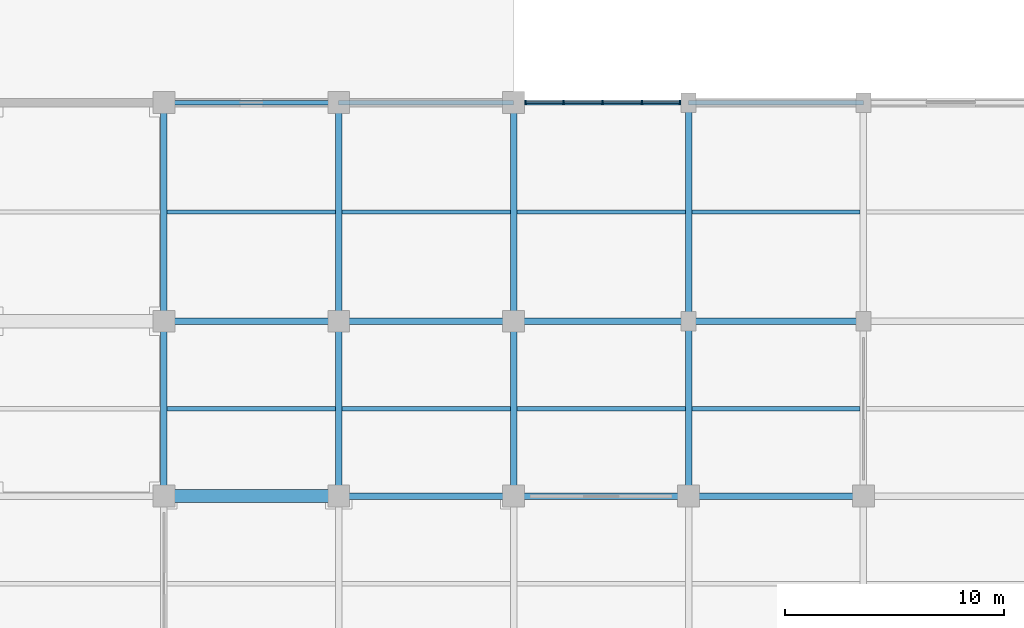
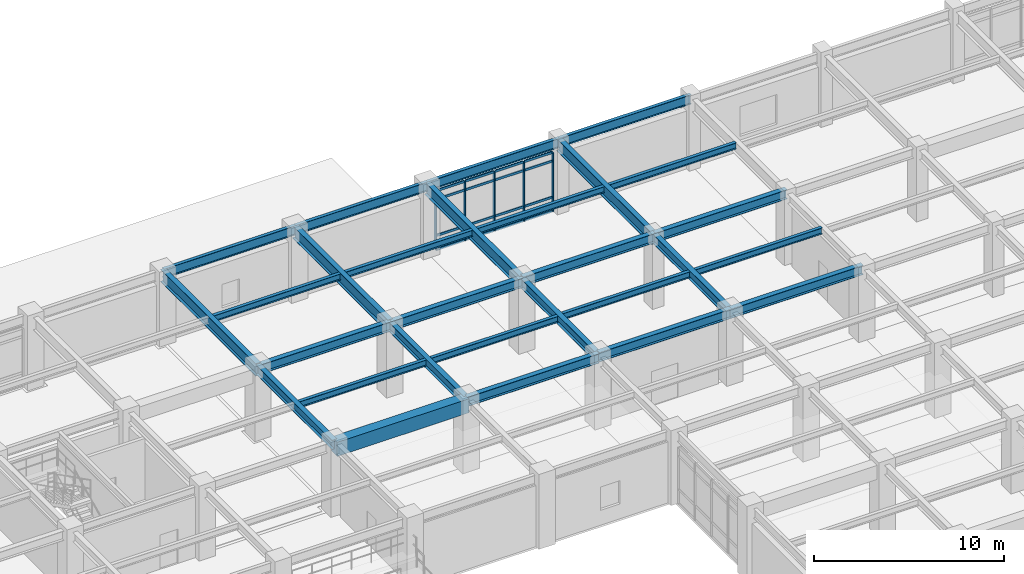
# One storey, part 51 of 117: 28 beams, 21 members, 1 element without a shape of its own.
"""IFC4 building model written with IfcOpenShell, lengths in metres."""

import ifcopenshell
import ifcopenshell.guid

model = None  # the IFC model being written
_history = None  # IfcOwnerHistory: only IFC2X3 demands one
_inside = {}  # id of a spatial element -> (the spatial element, [elements in it])
_under = {}  # id of a project, library or spatial element -> (it, [spatial elements below it])
_declared = {}  # id of a project -> (the project, [libraries it declares])
_typed = {}  # id of a type object -> (the type object, [elements of that type])
_made_of = {}  # id of a material, layer set ... -> (it, [elements and type objects made of it])


def new_model(schema):
    """Start an empty IFC model of exactly this schema.

    Asked for "IFC4X3", IfcOpenShell would pick the latest addendum, in which some entities
    have other attributes; the version numbers below select the first issue.
    IFC2X3 requires an IfcOwnerHistory on every rooted entity: one is made here for all.
    """
    global model, _history
    if schema == "IFC4X3":
        model = ifcopenshell.file(schema_version=(4, 3, 0, 0))
    else:
        model = ifcopenshell.file(schema=schema)
    _inside.clear()
    _under.clear()
    _declared.clear()
    _typed.clear()
    _made_of.clear()
    _history = None
    if model.schema == "IFC2X3":
        org = make("IfcOrganization", Name="unknown")
        user = make(
            "IfcPersonAndOrganization",
            ThePerson=make("IfcPerson", FamilyName="unknown"),
            TheOrganization=org,
        )
        app = make(
            "IfcApplication",
            ApplicationDeveloper=org,
            Version="unknown",
            ApplicationFullName="unknown",
            ApplicationIdentifier="unknown",
        )
        _history = make(
            "IfcOwnerHistory",
            OwningUser=user,
            OwningApplication=app,
            ChangeAction="ADDED",
            CreationDate=0,
        )
    return model


def make(cls, **values):
    """One entity of the class cls with the attributes given. An attribute that is None is left unset."""
    return model.create_entity(
        cls, **{name: value for name, value in values.items() if value is not None}
    )


def rooted(cls, **values):
    """An entity with a GlobalId (a new one), such as an element, a storey or a relation."""
    return make(cls, GlobalId=ifcopenshell.guid.new(), OwnerHistory=_history, **values)


def si_unit(unit_type, name, prefix=None):
    """IfcSIUnit, for example si_unit("LENGTHUNIT", "METRE", prefix="MILLI")."""
    return make("IfcSIUnit", UnitType=unit_type, Prefix=prefix, Name=name)


def assignment(units):
    """IfcUnitAssignment: the units of a project."""
    return None if units is None else make("IfcUnitAssignment", Units=units)


def point(xyz):
    """IfcCartesianPoint."""
    return None if xyz is None else make("IfcCartesianPoint", Coordinates=xyz)


def direction(xyz):
    """IfcDirection."""
    return None if xyz is None else make("IfcDirection", DirectionRatios=xyz)


def frame(location, z_axis=None, x_axis=None):
    """IfcAxis2Placement3D, a coordinate frame: its origin and axes. An axis left out is left unset."""
    return make(
        "IfcAxis2Placement3D",
        Location=point(location),
        Axis=direction(z_axis),
        RefDirection=direction(x_axis),
    )


def frame_2d(location, x_axis=None):
    """IfcAxis2Placement2D, a coordinate frame in the plane: its origin and x axis."""
    return make(
        "IfcAxis2Placement2D", Location=point(location), RefDirection=direction(x_axis)
    )


def origin():
    """The frame at (0, 0, 0) with its axes left unset."""
    return frame((0.0, 0.0, 0.0))


def origin_2d():
    """The frame at (0, 0) in the plane with its x axis left unset."""
    return frame_2d((0.0, 0.0))


def place(relative_to, where):
    """IfcLocalPlacement: puts the frame where relative to a parent placement (None: the world)."""
    return make(
        "IfcLocalPlacement", PlacementRelTo=relative_to, RelativePlacement=where
    )


def context(
    kind, dimensions, precision=None, world=None, true_north=None, identifier=None
):
    """IfcGeometricRepresentationContext, for example the 3D "Model" context."""
    return make(
        "IfcGeometricRepresentationContext",
        ContextIdentifier=identifier,
        ContextType=kind,
        CoordinateSpaceDimension=dimensions,
        Precision=precision,
        WorldCoordinateSystem=world,
        TrueNorth=true_north,
    )


def subcontext(parent, identifier, kind, view, scale=None):
    """IfcGeometricRepresentationSubContext, for example "Body" below "Model"."""
    return make(
        "IfcGeometricRepresentationSubContext",
        ContextIdentifier=identifier,
        ContextType=kind,
        ParentContext=parent,
        TargetScale=scale,
        TargetView=view,
    )


def project(units=None, contexts=None):
    """IfcProject with its units and contexts."""
    return rooted(
        "IfcProject",
        Name="project",
        RepresentationContexts=contexts,
        UnitsInContext=assignment(units),
    )


def spatial(cls, under=None, at=None, **own):
    """A site, building, storey or space (cls), placed at a placement, below another one or the project."""
    s = rooted(cls, ObjectPlacement=at, **own)
    if under is not None:
        _under.setdefault(under.id(), (under, []))[1].append(s)
    return s


def profile(cls, at=None, kind="AREA", **sizes):
    """A parametric profile (cls). Its sizes go by their IFC names, for example OverallWidth=200.0."""
    return make(cls, ProfileType=kind, Position=at, **sizes)


def rectangle(**sizes):
    """IfcRectangleProfileDef."""
    return profile("IfcRectangleProfileDef", **sizes)


def i_section(**sizes):
    """IfcIShapeProfileDef."""
    return profile("IfcIShapeProfileDef", **sizes)


def extrude(swept, where, along, depth):
    """IfcExtrudedAreaSolid: the profile swept, set in the frame where, extruded along a direction by depth."""
    return make(
        "IfcExtrudedAreaSolid",
        SweptArea=swept,
        Position=where,
        ExtrudedDirection=direction(along),
        Depth=depth,
    )


def shape(context_of_items, identifier, shape_type, items):
    """IfcShapeRepresentation: the items that make up one representation, for example the "Body"."""
    return make(
        "IfcShapeRepresentation",
        ContextOfItems=context_of_items,
        RepresentationIdentifier=identifier,
        RepresentationType=shape_type,
        Items=items,
    )


def material(Name=None, Category=None):
    """IfcMaterial."""
    return make("IfcMaterial", Name=Name, Category=Category)


def layer(
    of_material, thickness, ventilated=None, Name=None, Category=None, Priority=None
):
    """IfcMaterialLayer: one layer of a wall or slab, of a material (None: an air gap)."""
    return make(
        "IfcMaterialLayer",
        Material=of_material,
        LayerThickness=thickness,
        IsVentilated=ventilated,
        Name=Name,
        Category=Category,
        Priority=Priority,
    )


def layer_set(layers, Name=None):
    """IfcMaterialLayerSet."""
    return make("IfcMaterialLayerSet", MaterialLayers=layers, LayerSetName=Name)


def material_profile(
    of_material, cross_section, Name=None, Category=None, Priority=None
):
    """IfcMaterialProfile: a cross section and its material."""
    return make(
        "IfcMaterialProfile",
        Name=Name,
        Material=of_material,
        Profile=cross_section,
        Priority=Priority,
        Category=Category,
    )


def profile_set(profiles, Name=None, composite=None):
    """IfcMaterialProfileSet."""
    return make(
        "IfcMaterialProfileSet",
        Name=Name,
        MaterialProfiles=profiles,
        CompositeProfile=composite,
    )


def made_of(thing, what):
    """Note that an element or type object is made of a material, layer set ...; save() writes the relation."""
    if what is not None:
        _made_of.setdefault(what.id(), (what, []))[1].append(thing)
    return thing


def type_object(cls, material=None, **own):
    """A type object (cls), such as IfcWallType, which elements share."""
    return made_of(rooted(cls, **own), material)


def element(
    cls,
    number,
    at=None,
    inside=None,
    cuts=None,
    type_object=None,
    material=None,
    context=None,
    identifier="Body",
    shape_type=None,
    held_by="IfcProductDefinitionShape",
    body=None,
    shapes=None,
    **own,
):
    """One element of the class cls, such as IfcWall. Its Tag is "e" and its number.

    at: its placement. inside: the storey or other place that contains it. cuts: it is an
    opening in that element (IfcRelVoidsElement). A single representation is given by context,
    identifier, shape_type and body (its items); several are given by shapes. held_by: the class
    of the entity that holds the representations. save() writes the other relations.
    """
    e = rooted(cls, Tag="e%d" % number, ObjectPlacement=at, **own)
    if body is not None:
        shapes = [shape(context, identifier, shape_type, body)]
    if shapes is not None:
        e.Representation = make(held_by, Representations=shapes)
    if inside is not None:
        _inside.setdefault(inside.id(), (inside, []))[1].append(e)
    if cuts is not None:
        rooted(
            "IfcRelVoidsElement", RelatingBuildingElement=cuts, RelatedOpeningElement=e
        )
    if type_object is not None:
        _typed.setdefault(type_object.id(), (type_object, []))[1].append(e)
    return made_of(e, material)


def aggregate(whole, parts):
    """IfcRelAggregates: a whole, such as a stair, and the parts it consists of."""
    return rooted("IfcRelAggregates", RelatingObject=whole, RelatedObjects=parts)


def save(model, path):
    """Write the relations noted so far, then the file.

    IfcRelAggregates (storeys below a building ...), IfcRelContainedInSpatialStructure (elements
    in a storey), IfcRelDefinesByType, IfcRelAssociatesMaterial and IfcRelDeclares: one each for
    every whole, place, type object, material and project.
    """
    for whole, parts in _under.values():
        aggregate(whole, parts)
    for where, things in _inside.values():
        rooted(
            "IfcRelContainedInSpatialStructure",
            RelatedElements=things,
            RelatingStructure=where,
        )
    for kind, things in _typed.values():
        rooted("IfcRelDefinesByType", RelatedObjects=things, RelatingType=kind)
    for what, things in _made_of.values():
        rooted("IfcRelAssociatesMaterial", RelatedObjects=things, RelatingMaterial=what)
    for by, libraries in _declared.values():
        rooted("IfcRelDeclares", RelatingContext=by, RelatedDefinitions=libraries)
    model.write(path)


model = new_model("IFC4")

# Units and contexts
model_context = context("Model", 3, precision=1e-05, world=origin(), true_north=direction((0.0, 1.0)))
body_context = subcontext(model_context, "Body", "Model", "MODEL_VIEW")
ifc_project = project(units=[si_unit("LENGTHUNIT", "METRE"), si_unit("AREAUNIT", "SQUARE_METRE"), si_unit("VOLUMEUNIT", "CUBIC_METRE"), si_unit("PLANEANGLEUNIT", "RADIAN"), si_unit("MASSUNIT", "GRAM", prefix="KILO")], contexts=[model_context])

# Site, building, storey
site_placement = place(None, origin())
site = spatial("IfcSite", under=ifc_project, at=site_placement, CompositionType="ELEMENT")
building_placement = place(site_placement, origin())
building = spatial("IfcBuilding", under=site, at=building_placement, Name="Haebicheon Civic Stadium", CompositionType="ELEMENT")
storey_placement = place(building_placement, frame((0.0, 0.0, 4.800048828125)))
storey = spatial("IfcBuildingStorey", under=building, at=storey_placement, Name="L02", CompositionType="ELEMENT", Elevation=4.800048828125)

# Beams
ifc_material_1 = material(Name="Concrete C40/50", Category="concrete")
ifc_material_profile_1 = material_profile(ifc_material_1, rectangle(XDim=0.60009765625, YDim=0.89990234375, at=origin_2d()), Name="RC-BM-600x900")
ifc_profile_set_1 = profile_set([ifc_material_profile_1], Name="Concrete C40/50")
beam_type_1 = type_object("IfcBeamType", Name="BM-RC-600x900", PredefinedType="BEAM", material=ifc_profile_set_1)
beam_placement = place(storey_placement, frame((128.0, 160.0, 4.070068359375), z_axis=(1.0, 0.0, 0.0), x_axis=(0.0, 1.0, 0.0)))
element("IfcBeam", 1, at=beam_placement, inside=storey, type_object=beam_type_1, material=ifc_profile_set_1, Name="L02 beam W/17-18", PredefinedType="BEAM", context=body_context, shape_type="SweptSolid", body=[
    extrude(rectangle(XDim=0.60009765625, YDim=0.89990234375, at=origin_2d()), origin(), (0.0, 0.0, 1.0), 8.0),
])
ifc_material_2 = material(Name="Steel SM355 (S355)", Category="steel")
ifc_material_profile_2 = material_profile(ifc_material_2, i_section(OverallWidth=0.300048828125, OverallDepth=0.60009765625, WebThickness=0.011962890625, FlangeThickness=0.02001953125, at=origin_2d()), Name="H-600x300x12x20")
ifc_profile_set_2 = profile_set([ifc_material_profile_2], Name="Steel SM355 (S355)")
beam_type_2 = type_object("IfcBeamType", Name="BM-ST-H600A", PredefinedType="BEAM", material=ifc_profile_set_2)
for number, where, z_axis, x_axis, name in (
    (2, (128.0, 160.0, 4.219970703125), (0.0, 1.0, 0.0), (-1.0, 0.0, 0.0), "L02 girder 17/W-X"),
    (3, (136.0, 160.0, 4.219970703125), (0.0, 1.0, 0.0), (-1.0, 0.0, 0.0), "L02 girder 18/W-X"),
    (4, (144.0, 160.0, 4.219970703125), (0.0, 1.0, 0.0), (-1.0, 0.0, 0.0), "L02 girder 19/W-X"),
    (5, (152.0, 160.0, 4.280029296875), (0.0, 1.0, 0.0), (-1.0, 0.0, 0.0), "L02 girder 20/W-X"),
    (6, (128.0, 168.0, 4.219970703125), (1.0, 0.0, 0.0), (0.0, 1.0, 0.0), "L02 beam X/17-18"),
    (7, (136.0, 160.0, 4.219970703125), (1.0, 0.0, 0.0), (0.0, 1.0, 0.0), "L02 beam W/18-19"),
    (8, (136.0, 168.0, 4.219970703125), (1.0, 0.0, 0.0), (0.0, 1.0, 0.0), "L02 beam X/18-19"),
    (9, (144.0, 160.0, 4.280029296875), (1.0, 0.0, 0.0), (0.0, 1.0, 0.0), "L02 beam W/19-20"),
    (10, (144.0, 168.0, 4.280029296875), (1.0, 0.0, 0.0), (0.0, 1.0, 0.0), "L02 beam X/19-20"),
    (11, (152.0, 160.0, 4.280029296875), (1.0, 0.0, 0.0), (0.0, 1.0, 0.0), "L02 beam W/20-21"),
    (12, (152.0, 168.0, 4.280029296875), (1.0, 0.0, 0.0), (0.0, 1.0, 0.0), "L02 beam X/20-21"),
):
    element("IfcBeam", number, at=place(storey_placement, frame(where, z_axis=z_axis, x_axis=x_axis)), inside=storey, type_object=beam_type_2, material=ifc_profile_set_2, Name=name, PredefinedType="BEAM", context=body_context, shape_type="SweptSolid", body=[
        extrude(i_section(OverallWidth=0.300048828125, OverallDepth=0.60009765625, WebThickness=0.011962890625, FlangeThickness=0.02001953125, at=origin_2d()), origin(), (0.0, 0.0, 1.0), 8.0),
    ])
ifc_material_3 = material(Name="Steel SM490", Category="steel")
ifc_material_profile_3 = material_profile(ifc_material_3, i_section(OverallWidth=0.300048828125, OverallDepth=0.800048828125, WebThickness=0.013916015625, FlangeThickness=0.02587890625, at=origin_2d()), Name="H-800x300x14x26")
ifc_profile_set_3 = profile_set([ifc_material_profile_3], Name="Steel SM490")
beam_type_3 = type_object("IfcBeamType", Name="BM-ST-H800", PredefinedType="BEAM", material=ifc_profile_set_3)
for number, where, z_axis, x_axis, name in (
    (13, (128.0, 168.0, 4.179931640625), (0.0, 1.0, 0.0), (-1.0, 0.0, 0.0), "L02 girder 17/X-Y"),
    (14, (136.0, 168.0, 4.179931640625), (0.0, 1.0, 0.0), (-1.0, 0.0, 0.0), "L02 girder 18/X-Y"),
    (15, (144.0, 168.0, 4.179931640625), (0.0, 1.0, 0.0), (-1.0, 0.0, 0.0), "L02 girder 19/X-Y"),
    (16, (152.0, 168.0, 4.179931640625), (0.0, 1.0, 0.0), (-1.0, 0.0, 0.0), "L02 girder 20/X-Y"),
):
    element("IfcBeam", number, at=place(storey_placement, frame(where, z_axis=z_axis, x_axis=x_axis)), inside=storey, type_object=beam_type_3, material=ifc_profile_set_3, Name=name, PredefinedType="BEAM", context=body_context, shape_type="SweptSolid", body=[
        extrude(i_section(OverallWidth=0.300048828125, OverallDepth=0.800048828125, WebThickness=0.013916015625, FlangeThickness=0.02587890625, at=origin_2d()), origin(), (0.0, 0.0, 1.0), 10.0),
    ])

# Curtain wall, members
ifc_material_4 = material(Name="Anodised aluminium and laminated glass", Category="aluminium")
ifc_layer = layer(ifc_material_4, 0.179931640625, Name="Anodised aluminium and laminated glass")
ifc_layer_set = layer_set([ifc_layer], Name="Anodised aluminium and laminated glass")
curtain_wall_type = type_object("IfcCurtainWallType", Name="CW-7150x3770", PredefinedType="NOTDEFINED", material=ifc_layer_set)
curtain_wall_placement = place(storey_placement, origin())
curtain_wall = element("IfcCurtainWall", 17, at=curtain_wall_placement, inside=storey, type_object=curtain_wall_type, material=ifc_layer_set, Name="L02 unitised curtain wall 052", PredefinedType="NOTDEFINED")
ifc_material_5 = material(Name="Anodised aluminium 6063-T6", Category="aluminium")
ifc_material_profile_4 = material_profile(ifc_material_5, rectangle(XDim=0.070068359375, YDim=0.199951171875, at=origin_2d()), Name="ALU-MULL-70x200")
ifc_profile_set_4 = profile_set([ifc_material_profile_4], Name="Anodised aluminium 6063-T6")
member_type_1 = type_object("IfcMemberType", Name="CWM-200x70", PredefinedType="MULLION", material=ifc_profile_set_4)
member_1_placement = place(storey_placement, frame((144.534912109375, 178.0, 0.0), z_axis=(0.0, 0.0, 1.0), x_axis=(1.0, 0.0, 0.0)))
member_1 = element("IfcMember", 18, at=member_1_placement, type_object=member_type_1, material=ifc_profile_set_4, Name="CW-L02-052 vertical mullion 1", PredefinedType="MULLION", context=body_context, shape_type="SweptSolid", body=[
    extrude(rectangle(XDim=0.070068359375, YDim=0.199951171875, at=origin_2d()), origin(), (0.0, 0.0, 1.0), 3.77001953125),
])
member_2_placement = place(storey_placement, frame((146.2880859375, 178.0, 0.0), z_axis=(0.0, 0.0, 1.0), x_axis=(1.0, 0.0, 0.0)))
member_2 = element("IfcMember", 19, at=member_2_placement, type_object=member_type_1, material=ifc_profile_set_4, Name="CW-L02-052 vertical mullion 2", PredefinedType="MULLION", context=body_context, shape_type="SweptSolid", body=[
    extrude(rectangle(XDim=0.070068359375, YDim=0.199951171875, at=origin_2d()), origin(), (0.0, 0.0, 1.0), 3.77001953125),
])
member_3_placement = place(storey_placement, frame((148.074951171875, 178.0, 0.0), z_axis=(0.0, 0.0, 1.0), x_axis=(1.0, 0.0, 0.0)))
member_3 = element("IfcMember", 20, at=member_3_placement, type_object=member_type_1, material=ifc_profile_set_4, Name="CW-L02-052 vertical mullion 3", PredefinedType="MULLION", context=body_context, shape_type="SweptSolid", body=[
    extrude(rectangle(XDim=0.070068359375, YDim=0.199951171875, at=origin_2d()), origin(), (0.0, 0.0, 1.0), 3.77001953125),
])
member_4_placement = place(storey_placement, frame((149.863037109375, 178.0, 0.0), z_axis=(0.0, 0.0, 1.0), x_axis=(1.0, 0.0, 0.0)))
member_4 = element("IfcMember", 21, at=member_4_placement, type_object=member_type_1, material=ifc_profile_set_4, Name="CW-L02-052 vertical mullion 4", PredefinedType="MULLION", context=body_context, shape_type="SweptSolid", body=[
    extrude(rectangle(XDim=0.070068359375, YDim=0.199951171875, at=origin_2d()), origin(), (0.0, 0.0, 1.0), 3.77001953125),
])
member_5_placement = place(storey_placement, frame((151.614990234375, 178.0, 0.0), z_axis=(0.0, 0.0, 1.0), x_axis=(1.0, 0.0, 0.0)))
member_5 = element("IfcMember", 22, at=member_5_placement, type_object=member_type_1, material=ifc_profile_set_4, Name="CW-L02-052 vertical mullion 5", PredefinedType="MULLION", context=body_context, shape_type="SweptSolid", body=[
    extrude(rectangle(XDim=0.070068359375, YDim=0.199951171875, at=origin_2d()), origin(), (0.0, 0.0, 1.0), 3.77001953125),
])
ifc_material_6 = material(Name="Anodised aluminium 6063-T6", Category="aluminium")
ifc_material_profile_5 = material_profile(ifc_material_6, rectangle(XDim=0.070068359375, YDim=0.14990234375, at=origin_2d()), Name="ALU-TRAN-70x150")
ifc_profile_set_5 = profile_set([ifc_material_profile_5], Name="Anodised aluminium 6063-T6")
member_type_2 = type_object("IfcMemberType", Name="CWT-150x70", PredefinedType="NOTDEFINED", material=ifc_profile_set_5)
member_6_placement = place(storey_placement, frame((144.570068359375, 178.0, 0.0), z_axis=(1.0, 0.0, 0.0), x_axis=(0.0, 1.0, 0.0)))
member_6 = element("IfcMember", 23, at=member_6_placement, type_object=member_type_2, material=ifc_profile_set_5, Name="CW-L02-052 horizontal transom 1.1", ObjectType="TRANSOM", PredefinedType="USERDEFINED", context=body_context, shape_type="SweptSolid", body=[
    extrude(rectangle(XDim=0.070068359375, YDim=0.14990234375, at=origin_2d()), origin(), (0.0, 0.0, 1.0), 1.682861328125),
])
member_7_placement = place(storey_placement, frame((144.570068359375, 178.0, 0.89990234375), z_axis=(1.0, 0.0, 0.0), x_axis=(0.0, 1.0, 0.0)))
member_7 = element("IfcMember", 24, at=member_7_placement, type_object=member_type_2, material=ifc_profile_set_5, Name="CW-L02-052 horizontal transom 1.2", ObjectType="TRANSOM", PredefinedType="USERDEFINED", context=body_context, shape_type="SweptSolid", body=[
    extrude(rectangle(XDim=0.070068359375, YDim=0.14990234375, at=origin_2d()), origin(), (0.0, 0.0, 1.0), 1.682861328125),
])
member_8_placement = place(storey_placement, frame((144.570068359375, 178.0, 3.219970703125), z_axis=(1.0, 0.0, 0.0), x_axis=(0.0, 1.0, 0.0)))
member_8 = element("IfcMember", 25, at=member_8_placement, type_object=member_type_2, material=ifc_profile_set_5, Name="CW-L02-052 horizontal transom 1.3", ObjectType="TRANSOM", PredefinedType="USERDEFINED", context=body_context, shape_type="SweptSolid", body=[
    extrude(rectangle(XDim=0.070068359375, YDim=0.14990234375, at=origin_2d()), origin(), (0.0, 0.0, 1.0), 1.682861328125),
])
member_9_placement = place(storey_placement, frame((144.570068359375, 178.0, 3.77001953125), z_axis=(1.0, 0.0, 0.0), x_axis=(0.0, 1.0, 0.0)))
member_9 = element("IfcMember", 26, at=member_9_placement, type_object=member_type_2, material=ifc_profile_set_5, Name="CW-L02-052 horizontal transom 1.4", ObjectType="TRANSOM", PredefinedType="USERDEFINED", context=body_context, shape_type="SweptSolid", body=[
    extrude(rectangle(XDim=0.070068359375, YDim=0.14990234375, at=origin_2d()), origin(), (0.0, 0.0, 1.0), 1.682861328125),
])
member_10_placement = place(storey_placement, frame((146.322998046875, 178.0, 0.0), z_axis=(1.0, 0.0, 0.0), x_axis=(0.0, 1.0, 0.0)))
member_10 = element("IfcMember", 27, at=member_10_placement, type_object=member_type_2, material=ifc_profile_set_5, Name="CW-L02-052 horizontal transom 2.1", ObjectType="TRANSOM", PredefinedType="USERDEFINED", context=body_context, shape_type="SweptSolid", body=[
    extrude(rectangle(XDim=0.070068359375, YDim=0.14990234375, at=origin_2d()), origin(), (0.0, 0.0, 1.0), 1.717041015625),
])
member_11_placement = place(storey_placement, frame((146.322998046875, 178.0, 0.89990234375), z_axis=(1.0, 0.0, 0.0), x_axis=(0.0, 1.0, 0.0)))
member_11 = element("IfcMember", 28, at=member_11_placement, type_object=member_type_2, material=ifc_profile_set_5, Name="CW-L02-052 horizontal transom 2.2", ObjectType="TRANSOM", PredefinedType="USERDEFINED", context=body_context, shape_type="SweptSolid", body=[
    extrude(rectangle(XDim=0.070068359375, YDim=0.14990234375, at=origin_2d()), origin(), (0.0, 0.0, 1.0), 1.717041015625),
])
member_12_placement = place(storey_placement, frame((146.322998046875, 178.0, 3.219970703125), z_axis=(1.0, 0.0, 0.0), x_axis=(0.0, 1.0, 0.0)))
member_12 = element("IfcMember", 29, at=member_12_placement, type_object=member_type_2, material=ifc_profile_set_5, Name="CW-L02-052 horizontal transom 2.3", ObjectType="TRANSOM", PredefinedType="USERDEFINED", context=body_context, shape_type="SweptSolid", body=[
    extrude(rectangle(XDim=0.070068359375, YDim=0.14990234375, at=origin_2d()), origin(), (0.0, 0.0, 1.0), 1.717041015625),
])
member_13_placement = place(storey_placement, frame((146.322998046875, 178.0, 3.77001953125), z_axis=(1.0, 0.0, 0.0), x_axis=(0.0, 1.0, 0.0)))
member_13 = element("IfcMember", 30, at=member_13_placement, type_object=member_type_2, material=ifc_profile_set_5, Name="CW-L02-052 horizontal transom 2.4", ObjectType="TRANSOM", PredefinedType="USERDEFINED", context=body_context, shape_type="SweptSolid", body=[
    extrude(rectangle(XDim=0.070068359375, YDim=0.14990234375, at=origin_2d()), origin(), (0.0, 0.0, 1.0), 1.717041015625),
])
member_14_placement = place(storey_placement, frame((148.110107421875, 178.0, 0.0), z_axis=(1.0, 0.0, 0.0), x_axis=(0.0, 1.0, 0.0)))
member_14 = element("IfcMember", 31, at=member_14_placement, type_object=member_type_2, material=ifc_profile_set_5, Name="CW-L02-052 horizontal transom 3.1", ObjectType="TRANSOM", PredefinedType="USERDEFINED", context=body_context, shape_type="SweptSolid", body=[
    extrude(rectangle(XDim=0.070068359375, YDim=0.14990234375, at=origin_2d()), origin(), (0.0, 0.0, 1.0), 1.7177734375),
])
member_15_placement = place(storey_placement, frame((148.110107421875, 178.0, 0.89990234375), z_axis=(1.0, 0.0, 0.0), x_axis=(0.0, 1.0, 0.0)))
member_15 = element("IfcMember", 32, at=member_15_placement, type_object=member_type_2, material=ifc_profile_set_5, Name="CW-L02-052 horizontal transom 3.2", ObjectType="TRANSOM", PredefinedType="USERDEFINED", context=body_context, shape_type="SweptSolid", body=[
    extrude(rectangle(XDim=0.070068359375, YDim=0.14990234375, at=origin_2d()), origin(), (0.0, 0.0, 1.0), 1.7177734375),
])
member_16_placement = place(storey_placement, frame((148.110107421875, 178.0, 3.219970703125), z_axis=(1.0, 0.0, 0.0), x_axis=(0.0, 1.0, 0.0)))
member_16 = element("IfcMember", 33, at=member_16_placement, type_object=member_type_2, material=ifc_profile_set_5, Name="CW-L02-052 horizontal transom 3.3", ObjectType="TRANSOM", PredefinedType="USERDEFINED", context=body_context, shape_type="SweptSolid", body=[
    extrude(rectangle(XDim=0.070068359375, YDim=0.14990234375, at=origin_2d()), origin(), (0.0, 0.0, 1.0), 1.7177734375),
])
member_17_placement = place(storey_placement, frame((148.110107421875, 178.0, 3.77001953125), z_axis=(1.0, 0.0, 0.0), x_axis=(0.0, 1.0, 0.0)))
member_17 = element("IfcMember", 34, at=member_17_placement, type_object=member_type_2, material=ifc_profile_set_5, Name="CW-L02-052 horizontal transom 3.4", ObjectType="TRANSOM", PredefinedType="USERDEFINED", context=body_context, shape_type="SweptSolid", body=[
    extrude(rectangle(XDim=0.070068359375, YDim=0.14990234375, at=origin_2d()), origin(), (0.0, 0.0, 1.0), 1.7177734375),
])
member_18_placement = place(storey_placement, frame((149.89794921875, 178.0, 0.0), z_axis=(1.0, 0.0, 0.0), x_axis=(0.0, 1.0, 0.0)))
member_18 = element("IfcMember", 35, at=member_18_placement, type_object=member_type_2, material=ifc_profile_set_5, Name="CW-L02-052 horizontal transom 4.1", ObjectType="TRANSOM", PredefinedType="USERDEFINED", context=body_context, shape_type="SweptSolid", body=[
    extrude(rectangle(XDim=0.070068359375, YDim=0.14990234375, at=origin_2d()), origin(), (0.0, 0.0, 1.0), 1.68212890625),
])
member_19_placement = place(storey_placement, frame((149.89794921875, 178.0, 0.89990234375), z_axis=(1.0, 0.0, 0.0), x_axis=(0.0, 1.0, 0.0)))
member_19 = element("IfcMember", 36, at=member_19_placement, type_object=member_type_2, material=ifc_profile_set_5, Name="CW-L02-052 horizontal transom 4.2", ObjectType="TRANSOM", PredefinedType="USERDEFINED", context=body_context, shape_type="SweptSolid", body=[
    extrude(rectangle(XDim=0.070068359375, YDim=0.14990234375, at=origin_2d()), origin(), (0.0, 0.0, 1.0), 1.68212890625),
])
member_20_placement = place(storey_placement, frame((149.89794921875, 178.0, 3.219970703125), z_axis=(1.0, 0.0, 0.0), x_axis=(0.0, 1.0, 0.0)))
member_20 = element("IfcMember", 37, at=member_20_placement, type_object=member_type_2, material=ifc_profile_set_5, Name="CW-L02-052 horizontal transom 4.3", ObjectType="TRANSOM", PredefinedType="USERDEFINED", context=body_context, shape_type="SweptSolid", body=[
    extrude(rectangle(XDim=0.070068359375, YDim=0.14990234375, at=origin_2d()), origin(), (0.0, 0.0, 1.0), 1.68212890625),
])
member_21_placement = place(storey_placement, frame((149.89794921875, 178.0, 3.77001953125), z_axis=(1.0, 0.0, 0.0), x_axis=(0.0, 1.0, 0.0)))
member_21 = element("IfcMember", 38, at=member_21_placement, type_object=member_type_2, material=ifc_profile_set_5, Name="CW-L02-052 horizontal transom 4.4", ObjectType="TRANSOM", PredefinedType="USERDEFINED", context=body_context, shape_type="SweptSolid", body=[
    extrude(rectangle(XDim=0.070068359375, YDim=0.14990234375, at=origin_2d()), origin(), (0.0, 0.0, 1.0), 1.68212890625),
])
aggregate(curtain_wall, [member_1, member_2, member_3, member_4, member_5, member_6, member_7, member_8, member_9, member_10, member_11, member_12, member_13, member_14, member_15, member_16, member_17, member_18, member_19, member_20, member_21])

# Beams
ifc_material_7 = material(Name="Steel SM355 (S355)", Category="steel")
ifc_material_profile_6 = material_profile(ifc_material_7, i_section(OverallWidth=0.199951171875, OverallDepth=0.39990234375, WebThickness=0.008056640625, FlangeThickness=0.012939453125, at=origin_2d()), Name="H-400x200x8x13")
ifc_profile_set_6 = profile_set([ifc_material_profile_6], Name="Steel SM355 (S355)")
beam_type_4 = type_object("IfcBeamType", Name="JST-ST-H400", PredefinedType="JOIST", material=ifc_profile_set_6)
for number, where, z_axis, x_axis, name in (
    (39, (128.14990234375, 164.0, 4.320068359375), (1.0, 0.0, 0.0), (0.0, 1.0, 0.0), "L02 secondary joist 16-20"),
    (40, (128.14990234375, 173.0, 4.3798828125), (1.0, 0.0, 0.0), (0.0, 1.0, 0.0), "L02 secondary joist 16-21"),
    (41, (136.14990234375, 164.0, 4.320068359375), (1.0, 0.0, 0.0), (0.0, 1.0, 0.0), "L02 secondary joist 17-20"),
    (42, (136.14990234375, 173.0, 4.3798828125), (1.0, 0.0, 0.0), (0.0, 1.0, 0.0), "L02 secondary joist 17-21"),
    (43, (144.14990234375, 164.0, 4.3798828125), (1.0, 0.0, 0.0), (0.0, 1.0, 0.0), "L02 secondary joist 18-20"),
    (44, (144.14990234375, 173.0, 4.3798828125), (1.0, 0.0, 0.0), (0.0, 1.0, 0.0), "L02 secondary joist 18-21"),
    (45, (152.14990234375, 164.0, 4.3798828125), (1.0, 0.0, 0.0), (0.0, 1.0, 0.0), "L02 secondary joist 19-20"),
    (46, (152.14990234375, 173.0, 4.3798828125), (1.0, 0.0, 0.0), (0.0, 1.0, 0.0), "L02 secondary joist 19-21"),
):
    element("IfcBeam", number, at=place(storey_placement, frame(where, z_axis=z_axis, x_axis=x_axis)), inside=storey, type_object=beam_type_4, material=ifc_profile_set_6, Name=name, PredefinedType="JOIST", context=body_context, shape_type="SweptSolid", body=[
        extrude(i_section(OverallWidth=0.199951171875, OverallDepth=0.39990234375, WebThickness=0.008056640625, FlangeThickness=0.012939453125, at=origin_2d()), origin(), (0.0, 0.0, 1.0), 7.7001953125),
    ])
ifc_material_8 = material(Name="Steel SM355 (S355)", Category="steel")
ifc_material_profile_7 = material_profile(ifc_material_8, i_section(OverallWidth=0.199951171875, OverallDepth=0.60009765625, WebThickness=0.010986328125, FlangeThickness=0.01708984375, at=origin_2d()), Name="H-600x200x11x17")
ifc_profile_set_7 = profile_set([ifc_material_profile_7], Name="Steel SM355 (S355)")
beam_type_5 = type_object("IfcBeamType", Name="SPD-ST-H600B", PredefinedType="SPANDREL", material=ifc_profile_set_7)
for number, where, z_axis, x_axis, name in (
    (47, (128.0, 178.0, 4.280029296875), (1.0, 0.0, 0.0), (0.0, 1.0, 0.0), "L02 beam Y/17-18"),
    (48, (136.0, 178.0, 4.280029296875), (1.0, 0.0, 0.0), (0.0, 1.0, 0.0), "L02 beam Y/18-19"),
    (49, (144.0, 178.0, 4.280029296875), (1.0, 0.0, 0.0), (0.0, 1.0, 0.0), "L02 beam Y/19-20"),
    (50, (152.0, 178.0, 4.280029296875), (1.0, 0.0, 0.0), (0.0, 1.0, 0.0), "L02 beam Y/20-21"),
):
    element("IfcBeam", number, at=place(storey_placement, frame(where, z_axis=z_axis, x_axis=x_axis)), inside=storey, type_object=beam_type_5, material=ifc_profile_set_7, Name=name, PredefinedType="SPANDREL", context=body_context, shape_type="SweptSolid", body=[
        extrude(i_section(OverallWidth=0.199951171875, OverallDepth=0.60009765625, WebThickness=0.010986328125, FlangeThickness=0.01708984375, at=origin_2d()), origin(), (0.0, 0.0, 1.0), 8.0),
    ])

save(model, "model.ifc")
